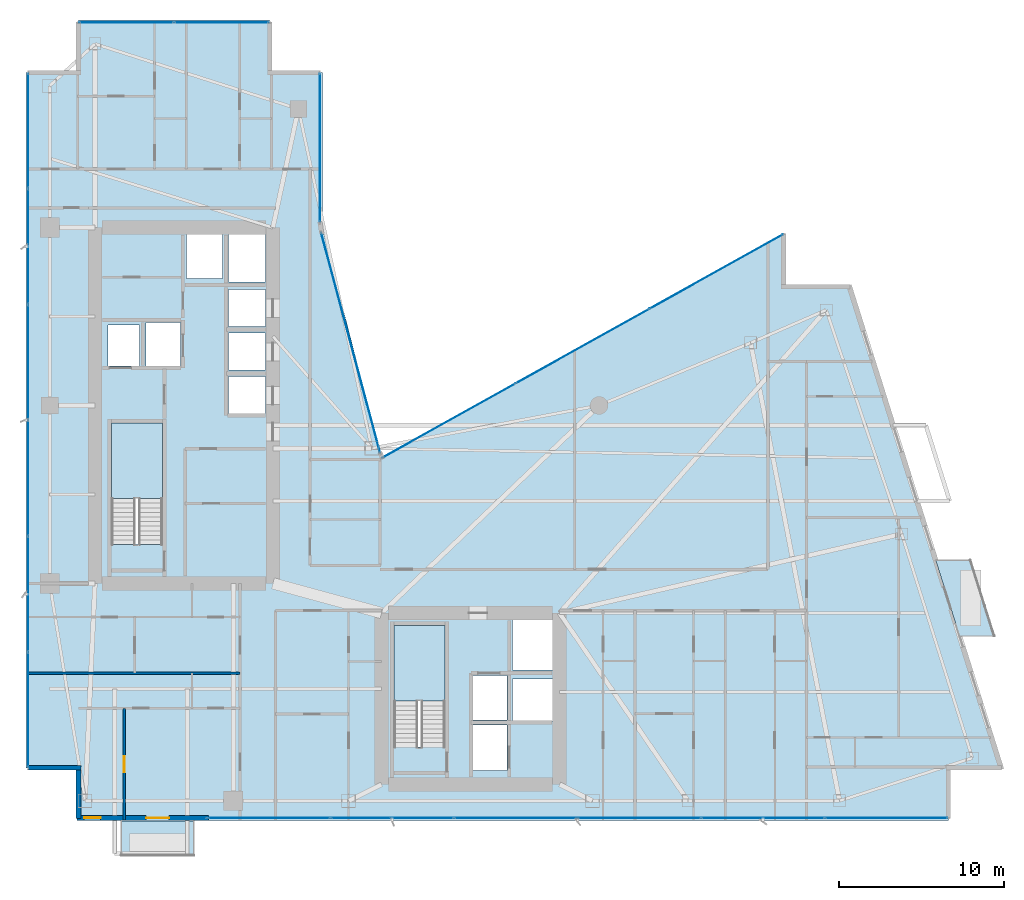
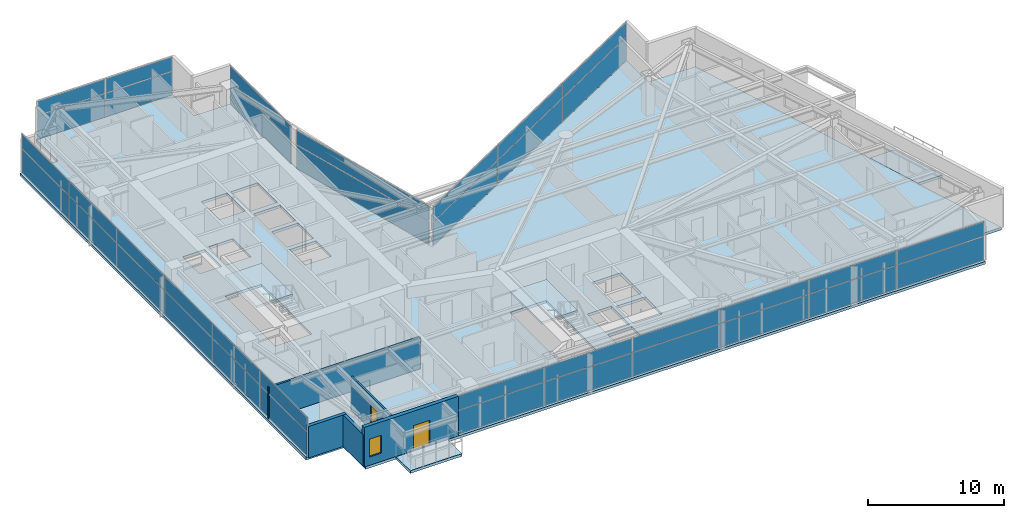
# One storey, part 21 of 28: 38 plates, 5 slabs, 5 walls, 2 doors, 1 window, 3 openings, 8 elements without a shape of their own.
"""IFC4 building model written with IfcOpenShell, lengths in metres."""

from ifc_helpers import new_model, si_unit, direction, frame, frame_2d, origin, origin_2d, place, context, subcontext, project, spatial, polyline, rectangle, outline, extrude, material, layer, layer_set, type_object, element, fill, aggregate, save


model = new_model("IFC4")

# Units and contexts
model_context = context("Model", 3, precision=1e-05, world=origin(), true_north=direction((0.0, 1.0)))
body_context = subcontext(model_context, "Body", "Model", "MODEL_VIEW")
ifc_project = project(units=[si_unit("LENGTHUNIT", "METRE"), si_unit("AREAUNIT", "SQUARE_METRE"), si_unit("VOLUMEUNIT", "CUBIC_METRE"), si_unit("PLANEANGLEUNIT", "RADIAN"), si_unit("MASSUNIT", "GRAM", prefix="KILO")], contexts=[model_context])

# Site, building, storey
site_placement = place(None, origin())
site = spatial("IfcSite", under=ifc_project, at=site_placement, CompositionType="ELEMENT")
building_placement = place(site_placement, origin())
building = spatial("IfcBuilding", under=site, at=building_placement, Name="Calvorn Quay Hotel", CompositionType="ELEMENT")
storey_placement = place(building_placement, frame((0.0, 0.0, 108.800048828125)))
storey = spatial("IfcBuildingStorey", under=building, at=storey_placement, Name="L26", CompositionType="ELEMENT", Elevation=108.800048828125)

# Curtain wall, plates
ifc_material_1 = material(Name="Pale Anodised Aluminium and Low-E Glass", Category="aluminium")
ifc_layer_1 = layer(ifc_material_1, 0.219970703125)
ifc_layer_set_1 = layer_set([ifc_layer_1], Name="CW-SYS-Z2")
curtain_wall_type = type_object("IfcCurtainWallType", Name="CW-SYS-Z2", PredefinedType="NOTDEFINED", material=ifc_layer_set_1)
curtain_wall_1_placement = place(storey_placement, origin())
curtain_wall_1 = element("IfcCurtainWall", 1, at=curtain_wall_1_placement, inside=storey, type_object=curtain_wall_type, Name="Tower West Curtain Wall (L26)", PredefinedType="NOTDEFINED")
ifc_material_2 = material(Name="Low-E Laminated Double Glazing", Category="glass")
ifc_layer_2 = layer(ifc_material_2, 0.028076171875)
ifc_layer_set_2 = layer_set([ifc_layer_2], Name="CW-SYS-Z2-PAN")
plate_type = type_object("IfcPlateType", Name="CW-SYS-Z2-PAN", PredefinedType="CURTAIN_PANEL", material=ifc_layer_set_2)
plate_1_placement = place(storey_placement, frame((0.14990234375, 9.131591796875, 0.06005859375), z_axis=(0.0, 0.0, 1.0), x_axis=(0.0, 1.0, 0.0)))
plate_1 = element("IfcPlate", 2, at=plate_1_placement, type_object=plate_type, Name="CW-L26-W panel 1.1", PredefinedType="CURTAIN_PANEL", context=body_context, shape_type="SweptSolid", body=[
    extrude(rectangle(XDim=6.943359375, YDim=0.028076171875, at=origin_2d()), origin(), (0.0, 0.0, 1.0), 2.110107421875),
])
plate_2_placement = place(storey_placement, frame((0.14990234375, 9.131591796875, 2.22998046875), z_axis=(0.0, 0.0, 1.0), x_axis=(0.0, 1.0, 0.0)))
plate_2 = element("IfcPlate", 3, at=plate_2_placement, type_object=plate_type, Name="CW-L26-W panel 1.2", PredefinedType="CURTAIN_PANEL", context=body_context, shape_type="SweptSolid", body=[
    extrude(rectangle(XDim=6.943359375, YDim=0.028076171875, at=origin_2d()), origin(), (0.0, 0.0, 1.0), 1.27001953125),
])
plate_3_placement = place(storey_placement, frame((0.14990234375, 16.14990234375, 0.06005859375), z_axis=(0.0, 0.0, 1.0), x_axis=(0.0, 1.0, 0.0)))
plate_3 = element("IfcPlate", 4, at=plate_3_placement, type_object=plate_type, Name="CW-L26-W panel 2.1", PredefinedType="CURTAIN_PANEL", context=body_context, shape_type="SweptSolid", body=[
    extrude(rectangle(XDim=6.973388671875, YDim=0.028076171875, at=origin_2d()), origin(), (0.0, 0.0, 1.0), 2.110107421875),
])
plate_4_placement = place(storey_placement, frame((0.14990234375, 16.14990234375, 2.22998046875), z_axis=(0.0, 0.0, 1.0), x_axis=(0.0, 1.0, 0.0)))
plate_4 = element("IfcPlate", 5, at=plate_4_placement, type_object=plate_type, Name="CW-L26-W panel 2.2", PredefinedType="CURTAIN_PANEL", context=body_context, shape_type="SweptSolid", body=[
    extrude(rectangle(XDim=6.973388671875, YDim=0.028076171875, at=origin_2d()), origin(), (0.0, 0.0, 1.0), 1.27001953125),
])
plate_5_placement = place(storey_placement, frame((0.14990234375, 23.183349609375, 0.06005859375), z_axis=(0.0, 0.0, 1.0), x_axis=(0.0, 1.0, 0.0)))
plate_5 = element("IfcPlate", 6, at=plate_5_placement, type_object=plate_type, Name="CW-L26-W panel 3.1", PredefinedType="CURTAIN_PANEL", context=body_context, shape_type="SweptSolid", body=[
    extrude(rectangle(XDim=6.973388671875, YDim=0.028076171875, at=origin_2d()), origin(), (0.0, 0.0, 1.0), 2.110107421875),
])
plate_6_placement = place(storey_placement, frame((0.14990234375, 23.183349609375, 2.22998046875), z_axis=(0.0, 0.0, 1.0), x_axis=(0.0, 1.0, 0.0)))
plate_6 = element("IfcPlate", 7, at=plate_6_placement, type_object=plate_type, Name="CW-L26-W panel 3.2", PredefinedType="CURTAIN_PANEL", context=body_context, shape_type="SweptSolid", body=[
    extrude(rectangle(XDim=6.973388671875, YDim=0.028076171875, at=origin_2d()), origin(), (0.0, 0.0, 1.0), 1.27001953125),
])
plate_7_placement = place(storey_placement, frame((0.14990234375, 30.216552734375, 0.06005859375), z_axis=(0.0, 0.0, 1.0), x_axis=(0.0, 1.0, 0.0)))
plate_7 = element("IfcPlate", 8, at=plate_7_placement, type_object=plate_type, Name="CW-L26-W panel 4.1", PredefinedType="CURTAIN_PANEL", context=body_context, shape_type="SweptSolid", body=[
    extrude(rectangle(XDim=6.973388671875, YDim=0.028076171875, at=origin_2d()), origin(), (0.0, 0.0, 1.0), 2.110107421875),
])
plate_8_placement = place(storey_placement, frame((0.14990234375, 30.216552734375, 2.22998046875), z_axis=(0.0, 0.0, 1.0), x_axis=(0.0, 1.0, 0.0)))
plate_8 = element("IfcPlate", 9, at=plate_8_placement, type_object=plate_type, Name="CW-L26-W panel 4.2", PredefinedType="CURTAIN_PANEL", context=body_context, shape_type="SweptSolid", body=[
    extrude(rectangle(XDim=6.973388671875, YDim=0.028076171875, at=origin_2d()), origin(), (0.0, 0.0, 1.0), 1.27001953125),
])
plate_9_placement = place(storey_placement, frame((0.14990234375, 37.25, 0.06005859375), z_axis=(0.0, 0.0, 1.0), x_axis=(0.0, 1.0, 0.0)))
plate_9 = element("IfcPlate", 10, at=plate_9_placement, type_object=plate_type, Name="CW-L26-W panel 5.1", PredefinedType="CURTAIN_PANEL", context=body_context, shape_type="SweptSolid", body=[
    extrude(rectangle(XDim=6.973388671875, YDim=0.028076171875, at=origin_2d()), origin(), (0.0, 0.0, 1.0), 2.110107421875),
])
plate_10_placement = place(storey_placement, frame((0.14990234375, 37.25, 2.22998046875), z_axis=(0.0, 0.0, 1.0), x_axis=(0.0, 1.0, 0.0)))
plate_10 = element("IfcPlate", 11, at=plate_10_placement, type_object=plate_type, Name="CW-L26-W panel 5.2", PredefinedType="CURTAIN_PANEL", context=body_context, shape_type="SweptSolid", body=[
    extrude(rectangle(XDim=6.973388671875, YDim=0.028076171875, at=origin_2d()), origin(), (0.0, 0.0, 1.0), 1.27001953125),
])
plate_11_placement = place(storey_placement, frame((0.14990234375, 44.268310546875, 0.06005859375), z_axis=(0.0, 0.0, 1.0), x_axis=(0.0, 1.0, 0.0)))
plate_11 = element("IfcPlate", 12, at=plate_11_placement, type_object=plate_type, Name="CW-L26-W panel 6.1", PredefinedType="CURTAIN_PANEL", context=body_context, shape_type="SweptSolid", body=[
    extrude(rectangle(XDim=6.943359375, YDim=0.028076171875, at=origin_2d()), origin(), (0.0, 0.0, 1.0), 2.110107421875),
])
plate_12_placement = place(storey_placement, frame((0.14990234375, 44.268310546875, 2.22998046875), z_axis=(0.0, 0.0, 1.0), x_axis=(0.0, 1.0, 0.0)))
plate_12 = element("IfcPlate", 13, at=plate_12_placement, type_object=plate_type, Name="CW-L26-W panel 6.2", PredefinedType="CURTAIN_PANEL", context=body_context, shape_type="SweptSolid", body=[
    extrude(rectangle(XDim=6.943359375, YDim=0.028076171875, at=origin_2d()), origin(), (0.0, 0.0, 1.0), 1.27001953125),
])
aggregate(curtain_wall_1, [plate_1, plate_2, plate_3, plate_4, plate_5, plate_6, plate_7, plate_8, plate_9, plate_10, plate_11, plate_12])

curtain_wall_2_placement = place(storey_placement, origin())
curtain_wall_2 = element("IfcCurtainWall", 14, at=curtain_wall_2_placement, inside=storey, type_object=curtain_wall_type, Name="Tower South Waterfront Curtain Wall (L26)", PredefinedType="NOTDEFINED")
plate_13_placement = place(storey_placement, frame((14.764892578125, 2.550048828125, 0.06005859375), z_axis=(0.0, 0.0, 1.0), x_axis=(1.0, 0.0, 0.0)))
plate_13 = element("IfcPlate", 15, at=plate_13_placement, type_object=plate_type, Name="CW-L26-S panel 1.1", PredefinedType="CURTAIN_PANEL", context=body_context, shape_type="SweptSolid", body=[
    extrude(rectangle(XDim=7.409912109375, YDim=0.028076171875, at=origin_2d()), origin(), (0.0, 0.0, 1.0), 2.110107421875),
])
plate_14_placement = place(storey_placement, frame((14.764892578125, 2.550048828125, 2.22998046875), z_axis=(0.0, 0.0, 1.0), x_axis=(1.0, 0.0, 0.0)))
plate_14 = element("IfcPlate", 16, at=plate_14_placement, type_object=plate_type, Name="CW-L26-S panel 1.2", PredefinedType="CURTAIN_PANEL", context=body_context, shape_type="SweptSolid", body=[
    extrude(rectangle(XDim=7.409912109375, YDim=0.028076171875, at=origin_2d()), origin(), (0.0, 0.0, 1.0), 1.27001953125),
])
plate_15_placement = place(storey_placement, frame((22.25, 2.550048828125, 0.06005859375), z_axis=(0.0, 0.0, 1.0), x_axis=(1.0, 0.0, 0.0)))
plate_15 = element("IfcPlate", 17, at=plate_15_placement, type_object=plate_type, Name="CW-L26-S panel 2.1", PredefinedType="CURTAIN_PANEL", context=body_context, shape_type="SweptSolid", body=[
    extrude(rectangle(XDim=7.43994140625, YDim=0.028076171875, at=origin_2d()), origin(), (0.0, 0.0, 1.0), 2.110107421875),
])
plate_16_placement = place(storey_placement, frame((22.25, 2.550048828125, 2.22998046875), z_axis=(0.0, 0.0, 1.0), x_axis=(1.0, 0.0, 0.0)))
plate_16 = element("IfcPlate", 18, at=plate_16_placement, type_object=plate_type, Name="CW-L26-S panel 2.2", PredefinedType="CURTAIN_PANEL", context=body_context, shape_type="SweptSolid", body=[
    extrude(rectangle(XDim=7.43994140625, YDim=0.028076171875, at=origin_2d()), origin(), (0.0, 0.0, 1.0), 1.27001953125),
])
plate_17_placement = place(storey_placement, frame((29.75, 2.550048828125, 0.06005859375), z_axis=(0.0, 0.0, 1.0), x_axis=(1.0, 0.0, 0.0)))
plate_17 = element("IfcPlate", 19, at=plate_17_placement, type_object=plate_type, Name="CW-L26-S panel 3.1", PredefinedType="CURTAIN_PANEL", context=body_context, shape_type="SweptSolid", body=[
    extrude(rectangle(XDim=7.43994140625, YDim=0.028076171875, at=origin_2d()), origin(), (0.0, 0.0, 1.0), 2.110107421875),
])
plate_18_placement = place(storey_placement, frame((29.75, 2.550048828125, 2.22998046875), z_axis=(0.0, 0.0, 1.0), x_axis=(1.0, 0.0, 0.0)))
plate_18 = element("IfcPlate", 20, at=plate_18_placement, type_object=plate_type, Name="CW-L26-S panel 3.2", PredefinedType="CURTAIN_PANEL", context=body_context, shape_type="SweptSolid", body=[
    extrude(rectangle(XDim=7.43994140625, YDim=0.028076171875, at=origin_2d()), origin(), (0.0, 0.0, 1.0), 1.27001953125),
])
plate_19_placement = place(storey_placement, frame((37.25, 2.550048828125, 0.06005859375), z_axis=(0.0, 0.0, 1.0), x_axis=(1.0, 0.0, 0.0)))
plate_19 = element("IfcPlate", 21, at=plate_19_placement, type_object=plate_type, Name="CW-L26-S panel 4.1", PredefinedType="CURTAIN_PANEL", context=body_context, shape_type="SweptSolid", body=[
    extrude(rectangle(XDim=7.43994140625, YDim=0.028076171875, at=origin_2d()), origin(), (0.0, 0.0, 1.0), 2.110107421875),
])
plate_20_placement = place(storey_placement, frame((37.25, 2.550048828125, 2.22998046875), z_axis=(0.0, 0.0, 1.0), x_axis=(1.0, 0.0, 0.0)))
plate_20 = element("IfcPlate", 22, at=plate_20_placement, type_object=plate_type, Name="CW-L26-S panel 4.2", PredefinedType="CURTAIN_PANEL", context=body_context, shape_type="SweptSolid", body=[
    extrude(rectangle(XDim=7.43994140625, YDim=0.028076171875, at=origin_2d()), origin(), (0.0, 0.0, 1.0), 1.27001953125),
])
plate_21_placement = place(storey_placement, frame((44.75, 2.550048828125, 0.06005859375), z_axis=(0.0, 0.0, 1.0), x_axis=(1.0, 0.0, 0.0)))
plate_21 = element("IfcPlate", 23, at=plate_21_placement, type_object=plate_type, Name="CW-L26-S panel 5.1", PredefinedType="CURTAIN_PANEL", context=body_context, shape_type="SweptSolid", body=[
    extrude(rectangle(XDim=7.43994140625, YDim=0.028076171875, at=origin_2d()), origin(), (0.0, 0.0, 1.0), 2.110107421875),
])
plate_22_placement = place(storey_placement, frame((44.75, 2.550048828125, 2.22998046875), z_axis=(0.0, 0.0, 1.0), x_axis=(1.0, 0.0, 0.0)))
plate_22 = element("IfcPlate", 24, at=plate_22_placement, type_object=plate_type, Name="CW-L26-S panel 5.2", PredefinedType="CURTAIN_PANEL", context=body_context, shape_type="SweptSolid", body=[
    extrude(rectangle(XDim=7.43994140625, YDim=0.028076171875, at=origin_2d()), origin(), (0.0, 0.0, 1.0), 1.27001953125),
])
plate_23_placement = place(storey_placement, frame((52.235107421875, 2.550048828125, 0.06005859375), z_axis=(0.0, 0.0, 1.0), x_axis=(1.0, 0.0, 0.0)))
plate_23 = element("IfcPlate", 25, at=plate_23_placement, type_object=plate_type, Name="CW-L26-S panel 6.1", PredefinedType="CURTAIN_PANEL", context=body_context, shape_type="SweptSolid", body=[
    extrude(rectangle(XDim=7.409912109375, YDim=0.028076171875, at=origin_2d()), origin(), (0.0, 0.0, 1.0), 2.110107421875),
])
plate_24_placement = place(storey_placement, frame((52.235107421875, 2.550048828125, 2.22998046875), z_axis=(0.0, 0.0, 1.0), x_axis=(1.0, 0.0, 0.0)))
plate_24 = element("IfcPlate", 26, at=plate_24_placement, type_object=plate_type, Name="CW-L26-S panel 6.2", PredefinedType="CURTAIN_PANEL", context=body_context, shape_type="SweptSolid", body=[
    extrude(rectangle(XDim=7.409912109375, YDim=0.028076171875, at=origin_2d()), origin(), (0.0, 0.0, 1.0), 1.27001953125),
])
aggregate(curtain_wall_2, [plate_13, plate_14, plate_15, plate_16, plate_17, plate_18, plate_19, plate_20, plate_21, plate_22, plate_23, plate_24])

curtain_wall_3_placement = place(storey_placement, origin())
curtain_wall_3 = element("IfcCurtainWall", 27, at=curtain_wall_3_placement, inside=storey, type_object=curtain_wall_type, Name="Inner Court Curtain Wall L26-NE1", PredefinedType="NOTDEFINED")
plate_25_placement = place(storey_placement, frame((41.920166015625, 35.72607421875, 0.06005859375), z_axis=(0.0, 0.0, 1.0), x_axis=(-0.873480989116, -0.486858256224, 0.0)))
plate_25 = element("IfcPlate", 28, at=plate_25_placement, type_object=plate_type, Name="CW-L26-NE1 panel 1.1", PredefinedType="CURTAIN_PANEL", context=body_context, shape_type="SweptSolid", body=[
    extrude(rectangle(XDim=9.221435546875, YDim=0.028076171875, at=origin_2d()), origin(), (0.0, 0.0, 1.0), 2.110107421875),
])
plate_26_placement = place(storey_placement, frame((41.920166015625, 35.72607421875, 2.22998046875), z_axis=(0.0, 0.0, 1.0), x_axis=(-0.873480989116, -0.486858256224, 0.0)))
plate_26 = element("IfcPlate", 29, at=plate_26_placement, type_object=plate_type, Name="CW-L26-NE1 panel 1.2", PredefinedType="CURTAIN_PANEL", context=body_context, shape_type="SweptSolid", body=[
    extrude(rectangle(XDim=9.221435546875, YDim=0.028076171875, at=origin_2d()), origin(), (0.0, 0.0, 1.0), 1.27001953125),
])
plate_27_placement = place(storey_placement, frame((33.800048828125, 31.199951171875, 0.06005859375), z_axis=(0.0, 0.0, 1.0), x_axis=(-0.873480989116, -0.486858256224, 0.0)))
plate_27 = element("IfcPlate", 30, at=plate_27_placement, type_object=plate_type, Name="CW-L26-NE1 panel 2.1", PredefinedType="CURTAIN_PANEL", context=body_context, shape_type="SweptSolid", body=[
    extrude(rectangle(XDim=9.25146484375, YDim=0.028076171875, at=origin_2d()), origin(), (0.0, 0.0, 1.0), 2.110107421875),
])
plate_28_placement = place(storey_placement, frame((33.800048828125, 31.199951171875, 2.22998046875), z_axis=(0.0, 0.0, 1.0), x_axis=(-0.873480989116, -0.486858256224, 0.0)))
plate_28 = element("IfcPlate", 31, at=plate_28_placement, type_object=plate_type, Name="CW-L26-NE1 panel 2.2", PredefinedType="CURTAIN_PANEL", context=body_context, shape_type="SweptSolid", body=[
    extrude(rectangle(XDim=9.25146484375, YDim=0.028076171875, at=origin_2d()), origin(), (0.0, 0.0, 1.0), 1.27001953125),
])
plate_29_placement = place(storey_placement, frame((25.6796875, 26.674072265625, 0.06005859375), z_axis=(0.0, 0.0, 1.0), x_axis=(-0.873480989116, -0.486858256224, 0.0)))
plate_29 = element("IfcPlate", 32, at=plate_29_placement, type_object=plate_type, Name="CW-L26-NE1 panel 3.1", PredefinedType="CURTAIN_PANEL", context=body_context, shape_type="SweptSolid", body=[
    extrude(rectangle(XDim=9.221435546875, YDim=0.028076171875, at=origin_2d()), origin(), (0.0, 0.0, 1.0), 2.110107421875),
])
plate_30_placement = place(storey_placement, frame((25.6796875, 26.674072265625, 2.22998046875), z_axis=(0.0, 0.0, 1.0), x_axis=(-0.873480989116, -0.486858256224, 0.0)))
plate_30 = element("IfcPlate", 33, at=plate_30_placement, type_object=plate_type, Name="CW-L26-NE1 panel 3.2", PredefinedType="CURTAIN_PANEL", context=body_context, shape_type="SweptSolid", body=[
    extrude(rectangle(XDim=9.221435546875, YDim=0.028076171875, at=origin_2d()), origin(), (0.0, 0.0, 1.0), 1.27001953125),
])
aggregate(curtain_wall_3, [plate_25, plate_26, plate_27, plate_28, plate_29, plate_30])

curtain_wall_4_placement = place(storey_placement, origin())
curtain_wall_4 = element("IfcCurtainWall", 34, at=curtain_wall_4_placement, inside=storey, type_object=curtain_wall_type, Name="Inner Court Curtain Wall L26-IC1", PredefinedType="NOTDEFINED")
plate_31_placement = place(storey_placement, frame((19.72509765625, 31.39990234375, 0.06005859375), z_axis=(0.0, 0.0, 1.0), x_axis=(-0.25877913024, 0.96593652056, 0.0)))
plate_31 = element("IfcPlate", 35, at=plate_31_placement, type_object=plate_type, Name="CW-L26-IC1 panel 1.1", PredefinedType="CURTAIN_PANEL", context=body_context, shape_type="SweptSolid", body=[
    extrude(rectangle(XDim=13.814697265625, YDim=0.028076171875, at=origin_2d()), origin(), (0.0, 0.0, 1.0), 2.110107421875),
])
plate_32_placement = place(storey_placement, frame((19.72509765625, 31.39990234375, 2.22998046875), z_axis=(0.0, 0.0, 1.0), x_axis=(-0.25877913024, 0.96593652056, 0.0)))
plate_32 = element("IfcPlate", 36, at=plate_32_placement, type_object=plate_type, Name="CW-L26-IC1 panel 1.2", PredefinedType="CURTAIN_PANEL", context=body_context, shape_type="SweptSolid", body=[
    extrude(rectangle(XDim=13.814697265625, YDim=0.028076171875, at=origin_2d()), origin(), (0.0, 0.0, 1.0), 1.27001953125),
])
aggregate(curtain_wall_4, [plate_31, plate_32])

curtain_wall_5_placement = place(storey_placement, origin())
curtain_wall_5 = element("IfcCurtainWall", 37, at=curtain_wall_5_placement, inside=storey, type_object=curtain_wall_type, Name="Inner Court Curtain Wall L26-IC2", PredefinedType="NOTDEFINED")
plate_33_placement = place(storey_placement, frame((17.85009765625, 43.239990234375, 0.06005859375), z_axis=(0.0, 0.0, 1.0), x_axis=(0.0, 1.0, 0.0)))
plate_33 = element("IfcPlate", 38, at=plate_33_placement, type_object=plate_type, Name="CW-L26-IC2 panel 1.1", PredefinedType="CURTAIN_PANEL", context=body_context, shape_type="SweptSolid", body=[
    extrude(rectangle(XDim=9.0, YDim=0.028076171875, at=origin_2d()), origin(), (0.0, 0.0, 1.0), 2.110107421875),
])
plate_34_placement = place(storey_placement, frame((17.85009765625, 43.239990234375, 2.22998046875), z_axis=(0.0, 0.0, 1.0), x_axis=(0.0, 1.0, 0.0)))
plate_34 = element("IfcPlate", 39, at=plate_34_placement, type_object=plate_type, Name="CW-L26-IC2 panel 1.2", PredefinedType="CURTAIN_PANEL", context=body_context, shape_type="SweptSolid", body=[
    extrude(rectangle(XDim=9.0, YDim=0.028076171875, at=origin_2d()), origin(), (0.0, 0.0, 1.0), 1.27001953125),
])
aggregate(curtain_wall_5, [plate_33, plate_34])

curtain_wall_6_placement = place(storey_placement, origin())
curtain_wall_6 = element("IfcCurtainWall", 40, at=curtain_wall_6_placement, inside=storey, type_object=curtain_wall_type, Name="Inner Court Curtain Wall L26-N1", PredefinedType="NOTDEFINED")
plate_35_placement = place(storey_placement, frame((11.885009765625, 50.85009765625, 0.06005859375), z_axis=(0.0, 0.0, 1.0), x_axis=(-1.0, 0.0, 0.0)))
plate_35 = element("IfcPlate", 41, at=plate_35_placement, type_object=plate_type, Name="CW-L26-N1 panel 1.1", PredefinedType="CURTAIN_PANEL", context=body_context, shape_type="SweptSolid", body=[
    extrude(rectangle(XDim=5.7099609375, YDim=0.028076171875, at=origin_2d()), origin(), (0.0, 0.0, 1.0), 2.110107421875),
])
plate_36_placement = place(storey_placement, frame((11.885009765625, 50.85009765625, 2.22998046875), z_axis=(0.0, 0.0, 1.0), x_axis=(-1.0, 0.0, 0.0)))
plate_36 = element("IfcPlate", 42, at=plate_36_placement, type_object=plate_type, Name="CW-L26-N1 panel 1.2", PredefinedType="CURTAIN_PANEL", context=body_context, shape_type="SweptSolid", body=[
    extrude(rectangle(XDim=5.7099609375, YDim=0.028076171875, at=origin_2d()), origin(), (0.0, 0.0, 1.0), 1.27001953125),
])
plate_37_placement = place(storey_placement, frame((6.114990234375, 50.85009765625, 0.06005859375), z_axis=(0.0, 0.0, 1.0), x_axis=(-1.0, 0.0, 0.0)))
plate_37 = element("IfcPlate", 43, at=plate_37_placement, type_object=plate_type, Name="CW-L26-N1 panel 2.1", PredefinedType="CURTAIN_PANEL", context=body_context, shape_type="SweptSolid", body=[
    extrude(rectangle(XDim=5.7099609375, YDim=0.028076171875, at=origin_2d()), origin(), (0.0, 0.0, 1.0), 2.110107421875),
])
plate_38_placement = place(storey_placement, frame((6.114990234375, 50.85009765625, 2.22998046875), z_axis=(0.0, 0.0, 1.0), x_axis=(-1.0, 0.0, 0.0)))
plate_38 = element("IfcPlate", 44, at=plate_38_placement, type_object=plate_type, Name="CW-L26-N1 panel 2.2", PredefinedType="CURTAIN_PANEL", context=body_context, shape_type="SweptSolid", body=[
    extrude(rectangle(XDim=5.7099609375, YDim=0.028076171875, at=origin_2d()), origin(), (0.0, 0.0, 1.0), 1.27001953125),
])
aggregate(curtain_wall_6, [plate_35, plate_36, plate_37, plate_38])

# Slabs
ifc_material_3 = material(Name="Concrete C40", Category="concrete")
ifc_layer_3 = layer(ifc_material_3, 0.239990234375)
ifc_layer_set_3 = layer_set([ifc_layer_3], Name="SLB-BALCONY-220")
slab_type_1 = type_object("IfcSlabType", Name="SLB-BALCONY-220", PredefinedType="FLOOR", material=ifc_layer_set_3)
slab_1_placement = place(storey_placement, frame((0.0, 0.0, -0.239990234375)))
element("IfcSlab", 45, at=slab_1_placement, inside=storey, type_object=slab_type_1, Name="Tree Balcony Slab L26-BALC-E", PredefinedType="FLOOR", context=body_context, shape_type="SweptSolid", body=[
    extrude(outline(polyline([(56.68896484375, 13.60009765625), (58.7890625, 13.60009765625), (57.340087890625, 18.199951171875), (55.239990234375, 18.199951171875), (56.68896484375, 13.60009765625)])), origin(), (0.0, 0.0, 1.0), 0.239990234375),
])
slab_2_placement = place(storey_placement, frame((0.0, 0.0, -0.239990234375)))
element("IfcSlab", 46, at=slab_2_placement, inside=storey, type_object=slab_type_1, Name="Tree Balcony Slab L26-BALC-S", PredefinedType="FLOOR", context=body_context, shape_type="SweptSolid", body=[
    extrude(outline(polyline([(5.800048828125, 0.2900390625), (10.199951171875, 0.2900390625), (10.199951171875, 2.389892578125), (5.800048828125, 2.389892578125), (5.800048828125, 0.2900390625)])), origin(), (0.0, 0.0, 1.0), 0.239990234375),
])

# Stair, slab
ifc_material_4 = material(Name="Concrete C40", Category="concrete")
stair_type = type_object("IfcStairType", Name="STR-CORE-DOGLEG", PredefinedType="HALF_TURN_STAIR", material=ifc_material_4)
stair_1_placement = place(storey_placement, origin())
stair_1 = element("IfcStair", 47, at=stair_1_placement, inside=storey, type_object=stair_type, Name="L26 ST-W", PredefinedType="HALF_TURN_STAIR")
ifc_material_5 = material(Name="Concrete C40", Category="concrete")
ifc_layer_4 = layer(ifc_material_5, 0.199951171875)
ifc_layer_set_4 = layer_set([ifc_layer_4], Name="SLB-STAIR-LANDING-200")
slab_type_2 = type_object("IfcSlabType", Name="SLB-STAIR-LANDING-200", PredefinedType="LANDING", material=ifc_layer_set_4)
slab_3_placement = place(storey_placement, frame((0.0, 0.0, 1.699951171875)))
slab_3 = element("IfcSlab", 48, at=slab_3_placement, type_object=slab_type_2, Name="ST-W landing 1", PredefinedType="LANDING", context=body_context, shape_type="SweptSolid", body=[
    extrude(outline(polyline([(8.300048828125, 21.949951171875), (8.300048828125, 26.550048828125), (5.199951171875, 26.550048828125), (5.199951171875, 21.949951171875), (8.300048828125, 21.949951171875)])), origin(), (0.0, 0.0, 1.0), 0.199951171875),
])
aggregate(stair_1, [slab_3])

stair_2_placement = place(storey_placement, origin())
stair_2 = element("IfcStair", 49, at=stair_2_placement, inside=storey, type_object=stair_type, Name="L26 ST-E", PredefinedType="HALF_TURN_STAIR")
slab_4_placement = place(storey_placement, frame((0.0, 0.0, 1.699951171875)))
slab_4 = element("IfcSlab", 50, at=slab_4_placement, type_object=slab_type_2, Name="ST-E landing 1", PredefinedType="LANDING", context=body_context, shape_type="SweptSolid", body=[
    extrude(outline(polyline([(25.449951171875, 9.64990234375), (25.449951171875, 14.25), (22.35009765625, 14.25), (22.35009765625, 9.64990234375), (25.449951171875, 9.64990234375)])), origin(), (0.0, 0.0, 1.0), 0.199951171875),
])
aggregate(stair_2, [slab_4])

# Slab
ifc_material_6 = material(Name="Concrete C40", Category="concrete")
ifc_layer_5 = layer(ifc_material_6, 0.239990234375)
ifc_layer_set_5 = layer_set([ifc_layer_5], Name="SLB-TOWER-240")
slab_type_3 = type_object("IfcSlabType", Name="SLB-TOWER-240", PredefinedType="FLOOR", material=ifc_layer_set_5)
slab_5_placement = place(storey_placement, frame((0.0, 0.0, -0.239990234375)))
element("IfcSlab", 51, at=slab_5_placement, inside=storey, type_object=slab_type_3, Name="L26 Structural Floor Slab", PredefinedType="FLOOR", context=body_context, shape_type="SweptSolid", body=[
    extrude(outline(polyline([(0.0, 5.60009765625), (3.199951171875, 5.60009765625), (3.199951171875, 2.39990234375), (56.0, 2.39990234375), (56.0, 5.60009765625), (59.199951171875, 5.60009765625), (50.0, 34.800048828125), (46.0, 34.800048828125), (46.0, 38.0), (21.60009765625, 24.39990234375), (18.0, 38.39990234375), (18.0, 47.800048828125), (14.800048828125, 47.800048828125), (14.800048828125, 51.0), (3.199951171875, 51.0), (3.199951171875, 47.800048828125), (0.0, 47.800048828125), (0.0, 5.60009765625)]), holes=[polyline([(5.199951171875, 19.156005859375), (8.300048828125, 19.156005859375), (8.300048828125, 26.550048828125), (5.199951171875, 26.550048828125), (5.199951171875, 19.156005859375)]), polyline([(22.35009765625, 6.85595703125), (25.449951171875, 6.85595703125), (25.449951171875, 14.25), (22.35009765625, 14.25), (22.35009765625, 6.85595703125)]), polyline([(5.0, 30.0), (6.89990234375, 30.0), (6.89990234375, 32.5), (5.0, 32.5), (5.0, 30.0)]), polyline([(7.300048828125, 30.0), (9.39990234375, 30.0), (9.39990234375, 32.64990234375), (7.300048828125, 32.64990234375), (7.300048828125, 30.0)]), polyline([(27.159912109375, 8.5), (29.2099609375, 8.5), (29.2099609375, 11.199951171875), (27.159912109375, 11.199951171875), (27.159912109375, 8.5)]), polyline([(27.159912109375, 5.449951171875), (29.2099609375, 5.449951171875), (29.2099609375, 8.199951171875), (27.159912109375, 8.199951171875), (27.159912109375, 5.449951171875)]), polyline([(12.300048828125, 27.10009765625), (14.56494140625, 27.10009765625), (14.56494140625, 29.35009765625), (12.300048828125, 29.35009765625), (12.300048828125, 27.10009765625)]), polyline([(12.300048828125, 29.75), (14.56494140625, 29.75), (14.56494140625, 32.0), (12.300048828125, 32.0), (12.300048828125, 29.75)]), polyline([(12.300048828125, 32.39990234375), (14.56494140625, 32.39990234375), (14.56494140625, 34.64990234375), (12.300048828125, 34.64990234375), (12.300048828125, 32.39990234375)]), polyline([(12.300048828125, 35.10009765625), (14.56494140625, 35.10009765625), (14.56494140625, 37.965087890625), (12.300048828125, 37.965087890625), (12.300048828125, 35.10009765625)]), polyline([(9.75, 35.300048828125), (11.949951171875, 35.300048828125), (11.949951171875, 37.965087890625), (9.75, 37.965087890625), (9.75, 35.300048828125)]), polyline([(29.550048828125, 11.550048828125), (31.965087890625, 11.550048828125), (31.965087890625, 14.56494140625), (29.550048828125, 14.56494140625), (29.550048828125, 11.550048828125)]), polyline([(29.550048828125, 8.449951171875), (31.965087890625, 8.449951171875), (31.965087890625, 11.0), (29.550048828125, 11.0), (29.550048828125, 8.449951171875)])]), origin(), (0.0, 0.0, 1.0), 0.239990234375),
])

# Wall, openings, door, window
ifc_material_7 = material(Name="Concrete C40", Category="concrete")
ifc_layer_6 = layer(ifc_material_7, 0.320068359375)
ifc_layer_set_6 = layer_set([ifc_layer_6], Name="WL-EXT-SPANDREL-320")
wall_type_1 = type_object("IfcWallType", Name="WL-EXT-SPANDREL-320", PredefinedType="SOLIDWALL", material=ifc_layer_set_6)
wall_1_placement = place(storey_placement, frame((3.10009765625, 2.56005859375, 0.0), z_axis=(0.0, 0.0, 1.0), x_axis=(1.0, 0.0, 0.0)))
wall_1 = element("IfcWall", 52, at=wall_1_placement, inside=storey, type_object=wall_type_1, Name="South Balcony Exterior Wall (L26)", PredefinedType="SOLIDWALL", context=body_context, shape_type="SweptSolid", body=[
    extrude(rectangle(XDim=8.0, YDim=0.320068359375, at=frame_2d((4.0, 0.0))), origin(), (0.0, 0.0, 1.0), 3.56005859375),
])
opening_1_placement = place(wall_1_placement, frame((0.449951171875, 0.0, 0.75)))
opening_1 = element("IfcOpeningElement", 53, at=opening_1_placement, cuts=wall_1, Name="Opening WSB-L26-1", PredefinedType="OPENING", context=body_context, shape_type="SweptSolid", body=[
    extrude(rectangle(XDim=1.0, YDim=1.60009765625, at=frame_2d((0.5, 0.800048828125))), frame((0.0, 0.169921875, 0.0), z_axis=(0.0, -1.0, 0.0), x_axis=(1.0, 0.0, 0.0)), (0.0, 0.0, 1.0), 0.340087890625),
])
opening_2_placement = place(wall_1_placement, frame((4.199951171875, 0.0, 0.0)))
opening_2 = element("IfcOpeningElement", 54, at=opening_2_placement, cuts=wall_1, Name="Opening DB-L26-2", PredefinedType="OPENING", context=body_context, shape_type="SweptSolid", body=[
    extrude(rectangle(XDim=1.39990234375, YDim=2.25, at=frame_2d((0.699951171875, 1.125))), frame((0.0, 0.169921875, 0.0), z_axis=(0.0, -1.0, 0.0), x_axis=(1.0, 0.0, 0.0)), (0.0, 0.0, 1.0), 0.340087890625),
])
ifc_material_8 = material(Name="Typhoon-Rated Low-E Aluminium Terrace Door", Category="aluminium")
door_type_1 = type_object("IfcDoorType", Name="DR-BALCONY-GLZ-1400", OperationType="NOTDEFINED", PredefinedType="DOOR", material=ifc_material_8)
door_1_placement = place(opening_2_placement, origin())
door_1 = element("IfcDoor", 55, at=door_1_placement, inside=storey, type_object=door_type_1, Name="Tree Balcony Terrace Door L26-BALC-S", OperationType="SINGLE_SWING_LEFT", OverallHeight=2.25, OverallWidth=1.39990234375, PredefinedType="DOOR", context=body_context, shape_type="SweptSolid", body=[
    extrude(rectangle(XDim=1.39990234375, YDim=2.25, at=frame_2d((0.699951171875, 1.125))), frame((0.0, 0.02490234375, 0.0), z_axis=(0.0, -1.0, 0.0), x_axis=(1.0, 0.0, 0.0)), (0.0, 0.0, 1.0), 0.050048828125),
])
fill(opening_2, door_1)
ifc_material_9 = material(Name="Self-Closing Class B Side Fire Window")
window_type = type_object("IfcWindowType", Name="WIN-REFUGE-NARROW-1000x1600", PartitioningType="SINGLE_PANEL", PredefinedType="WINDOW", material=ifc_material_9)
window_placement = place(opening_1_placement, origin())
window = element("IfcWindow", 56, at=window_placement, inside=storey, type_object=window_type, Name="South Waterfront Side Window (L26)", OverallHeight=1.60009765625, OverallWidth=1.0, PartitioningType="SINGLE_PANEL", PredefinedType="WINDOW", context=body_context, shape_type="SweptSolid", body=[
    extrude(rectangle(XDim=1.0, YDim=1.60009765625, at=frame_2d((0.5, 0.800048828125))), frame((0.0, 0.030029296875, 0.0), z_axis=(0.0, -1.0, 0.0), x_axis=(1.0, 0.0, 0.0)), (0.0, 0.0, 1.0), 0.06005859375),
])
fill(opening_1, window)

# Walls
wall_2_placement = place(storey_placement, frame((0.1201171875, 5.60009765625, 0.0), z_axis=(0.0, 0.0, 1.0), x_axis=(1.0, 0.0, 0.0)))
element("IfcWall", 57, at=wall_2_placement, inside=storey, type_object=wall_type_1, Name="Notched Corner Spandrel L26-SW1", PredefinedType="SOLIDWALL", context=body_context, shape_type="SweptSolid", body=[
    extrude(rectangle(XDim=3.219970703125, YDim=0.280029296875, at=frame_2d((1.60986328125, 0.0))), origin(), (0.0, 0.0, 1.0), 2.83984375),
])
wall_3_placement = place(storey_placement, frame((3.199951171875, 5.4599609375, 0.0), z_axis=(0.0, 0.0, 1.0), x_axis=(0.0, -1.0, 0.0)))
element("IfcWall", 58, at=wall_3_placement, inside=storey, type_object=wall_type_1, Name="Notched Corner Spandrel L26-SW2", PredefinedType="SOLIDWALL", context=body_context, shape_type="SweptSolid", body=[
    extrude(rectangle(XDim=2.93994140625, YDim=0.280029296875, at=frame_2d((1.469970703125, 0.0))), origin(), (0.0, 0.0, 1.0), 2.83984375),
])

# Wall, opening, door
ifc_material_10 = material(Name="Double-Stud Acoustic Gypsum Partition")
ifc_layer_7 = layer(ifc_material_10, 0.159912109375)
ifc_layer_set_7 = layer_set([ifc_layer_7], Name="WL-INTERSUITE-160")
wall_type_2 = type_object("IfcWallType", Name="WL-INTERSUITE-160", PredefinedType="PARTITIONING", material=ifc_layer_set_7)
wall_4_placement = place(storey_placement, frame((5.97998046875, 2.43994140625, 0.0), z_axis=(0.0, 0.0, 1.0), x_axis=(0.0, 1.0, 0.0)))
wall_4 = element("IfcWall", 59, at=wall_4_placement, inside=storey, type_object=wall_type_2, Name="Partition Wall L26-WL-U01-MSP", PredefinedType="PARTITIONING", context=body_context, shape_type="SweptSolid", body=[
    extrude(rectangle(XDim=6.780029296875, YDim=0.159912109375, at=frame_2d((3.39013671875, 0.0))), origin(), (0.0, 0.0, 1.0), 3.0400390625),
])
opening_3_placement = place(wall_4_placement, frame((2.909912109375, 0.0, 0.0)))
opening_3 = element("IfcOpeningElement", 60, at=opening_3_placement, cuts=wall_4, Name="Opening D-L26-M01", PredefinedType="OPENING", context=body_context, shape_type="SweptSolid", body=[
    extrude(rectangle(XDim=0.9599609375, YDim=2.199951171875, at=frame_2d((0.47998046875, 1.10009765625))), frame((0.0, 0.08984375, 0.0), z_axis=(0.0, -1.0, 0.0), x_axis=(1.0, 0.0, 0.0)), (0.0, 0.0, 1.0), 0.179931640625),
])
ifc_material_11 = material(Name="Solid Timber Internal Suite Door", Category="wood")
door_type_2 = type_object("IfcDoorType", Name="DR-SUITE-INT-960", OperationType="NOTDEFINED", PredefinedType="DOOR", material=ifc_material_11)
door_2_placement = place(opening_3_placement, origin())
door_2 = element("IfcDoor", 61, at=door_2_placement, inside=storey, type_object=door_type_2, Name="Suite Bedroom Door 01", OperationType="SINGLE_SWING_LEFT", OverallHeight=2.199951171875, OverallWidth=0.9599609375, PredefinedType="DOOR", context=body_context, shape_type="SweptSolid", body=[
    extrude(rectangle(XDim=0.9599609375, YDim=2.199951171875, at=frame_2d((0.47998046875, 1.10009765625))), frame((0.0, 0.02490234375, 0.0), z_axis=(0.0, -1.0, 0.0), x_axis=(1.0, 0.0, 0.0)), (0.0, 0.0, 1.0), 0.050048828125),
])
fill(opening_3, door_2)

# Wall
wall_5_placement = place(storey_placement, frame((0.080078125, 11.35009765625, 0.0), z_axis=(0.0, 0.0, 1.0), x_axis=(1.0, 0.0, 0.0)))
element("IfcWall", 62, at=wall_5_placement, inside=storey, type_object=wall_type_2, Name="Partition Wall L26-WL-SW-DIV-1", PredefinedType="PARTITIONING", context=body_context, shape_type="SweptSolid", body=[
    extrude(rectangle(XDim=12.919921875, YDim=0.159912109375, at=frame_2d((6.4599609375, 0.0))), origin(), (0.0, 0.0, 1.0), 2.83984375),
])

save(model, "model.ifc")
